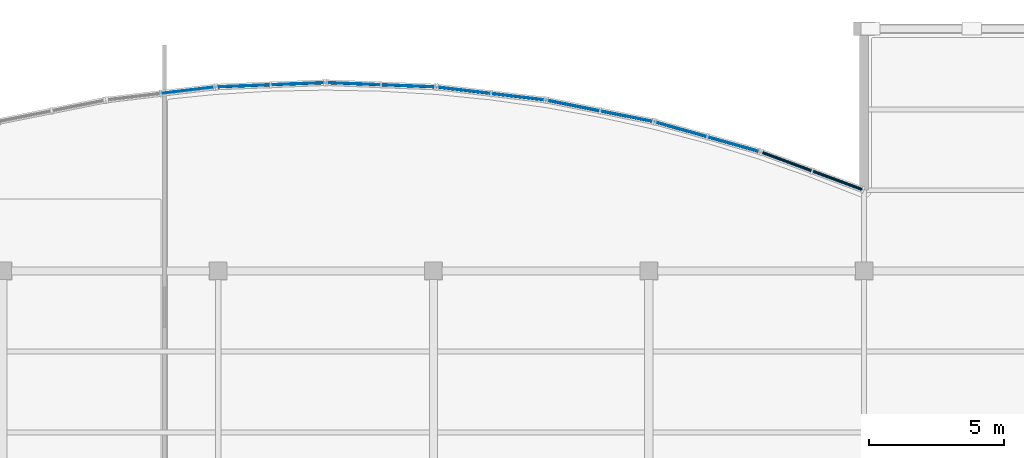
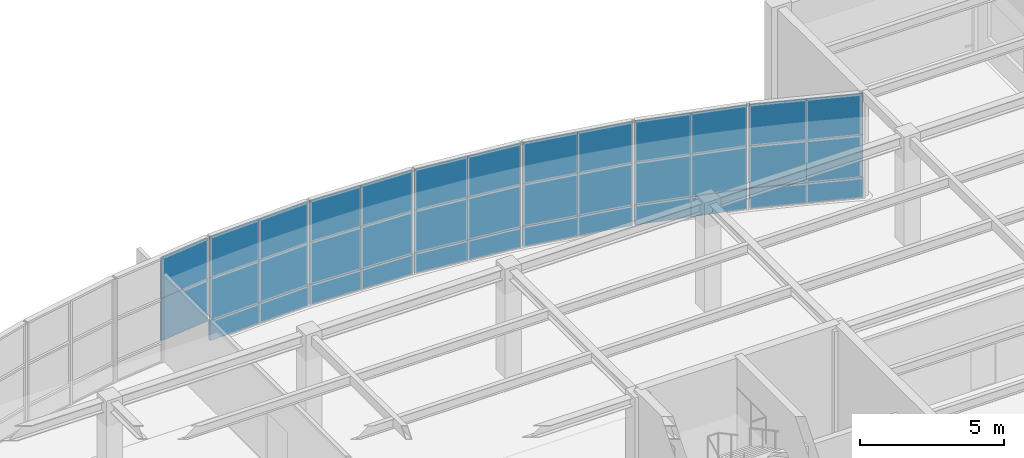
# One storey, part 41 of 63: 38 plates, 7 elements without a shape of their own.
"""IFC4 building model written with IfcOpenShell, lengths in metres."""

from ifc_helpers import new_model, si_unit, direction, frame, origin, origin_2d, place, context, subcontext, project, spatial, rectangle, extrude, material, layer, layer_set, type_object, element, aggregate, save


model = new_model("IFC4")

# Units and contexts
model_context = context("Model", 3, precision=1e-05, world=origin(), true_north=direction((0.0, 1.0)))
body_context = subcontext(model_context, "Body", "Model", "MODEL_VIEW")
ifc_project = project(units=[si_unit("LENGTHUNIT", "METRE"), si_unit("AREAUNIT", "SQUARE_METRE"), si_unit("VOLUMEUNIT", "CUBIC_METRE"), si_unit("PLANEANGLEUNIT", "RADIAN"), si_unit("MASSUNIT", "GRAM", prefix="KILO")], contexts=[model_context])

# Site, building, storey
site_placement = place(None, origin())
site = spatial("IfcSite", under=ifc_project, at=site_placement, CompositionType="ELEMENT")
building_placement = place(site_placement, origin())
building = spatial("IfcBuilding", under=site, at=building_placement, Name="Keelwater Ferry Terminal", CompositionType="ELEMENT")
storey_placement = place(building_placement, frame((0.0, 0.0, 10.199951171875)))
storey = spatial("IfcBuildingStorey", under=building, at=storey_placement, Name="L02", CompositionType="ELEMENT", Elevation=10.199951171875)

# Curtain wall, plates
ifc_material_1 = material(Name="Thermally broken unitised aluminium and triple glass", Category="aluminium")
ifc_layer_1 = layer(ifc_material_1, 0.179931640625)
ifc_layer_set_1 = layer_set([ifc_layer_1], Name="Thermally broken unitised aluminium and triple glass")
curtain_wall_type = type_object("IfcCurtainWallType", Name="CW-21 Unitised Curtain Wall 4015x4400", PredefinedType="USERDEFINED", material=ifc_layer_set_1)
curtain_wall_1_placement = place(storey_placement, origin())
curtain_wall_1 = element("IfcCurtainWall", 1, at=curtain_wall_1_placement, inside=storey, type_object=curtain_wall_type, Name="Unitised Curtain Wall CW-L02-193", ObjectType="UNITISED CURTAIN WALL", PredefinedType="USERDEFINED")
ifc_material_2 = material(Name="Insulated terracotta shadow-box spandrel", Category="masonry")
ifc_layer_2 = layer(ifc_material_2, 0.110107421875)
ifc_layer_set_2 = layer_set([ifc_layer_2], Name="Insulated terracotta shadow-box spandrel")
plate_type_1 = type_object("IfcPlateType", Name="CWP-S3 Insulated Spandrel Panel 110", PredefinedType="CURTAIN_PANEL", material=ifc_layer_set_2)
plate_1_placement = place(storey_placement, frame((171.01708984375, 120.364990234375, 0.0), z_axis=(0.0, 0.0, 1.0), x_axis=(-0.937592418253, 0.347736189136, 0.0)))
plate_1 = element("IfcPlate", 2, at=plate_1_placement, type_object=plate_type_1, Name="CW-L02-193 Panel 1.1", PredefinedType="CURTAIN_PANEL", context=body_context, shape_type="SweptSolid", body=[
    extrude(rectangle(XDim=2.00732421875, YDim=0.110107421875, at=origin_2d()), origin(), (0.0, 0.0, 1.0), 0.85009765625),
])
plate_2_placement = place(storey_placement, frame((169.135009765625, 121.06298828125, 0.0), z_axis=(0.0, 0.0, 1.0), x_axis=(-0.937592418253, 0.347736189136, 0.0)))
plate_2 = element("IfcPlate", 3, at=plate_2_placement, type_object=plate_type_1, Name="CW-L02-193 Panel 2.1", PredefinedType="CURTAIN_PANEL", context=body_context, shape_type="SweptSolid", body=[
    extrude(rectangle(XDim=2.00732421875, YDim=0.110107421875, at=origin_2d()), origin(), (0.0, 0.0, 1.0), 0.85009765625),
])

curtain_wall_2_placement = place(storey_placement, origin())
curtain_wall_2 = element("IfcCurtainWall", 4, at=curtain_wall_2_placement, inside=storey, type_object=curtain_wall_type, Name="Unitised Curtain Wall CW-L02-194", ObjectType="UNITISED CURTAIN WALL", PredefinedType="USERDEFINED")
plate_3_placement = place(storey_placement, frame((167.143310546875, 121.714111328125, 0.0), z_axis=(0.0, 0.0, 1.0), x_axis=(-0.962029778706, 0.272944508797, 0.0)))
plate_3 = element("IfcPlate", 5, at=plate_3_placement, type_object=plate_type_1, Name="CW-L02-194 Panel 1.1", PredefinedType="CURTAIN_PANEL", context=body_context, shape_type="SweptSolid", body=[
    extrude(rectangle(XDim=2.0078125, YDim=0.110107421875, at=origin_2d()), origin(), (0.0, 0.0, 1.0), 0.85009765625),
])
plate_4_placement = place(storey_placement, frame((165.211669921875, 122.261962890625, 0.0), z_axis=(0.0, 0.0, 1.0), x_axis=(-0.962029778706, 0.272944508797, 0.0)))
plate_4 = element("IfcPlate", 6, at=plate_4_placement, type_object=plate_type_1, Name="CW-L02-194 Panel 2.1", PredefinedType="CURTAIN_PANEL", context=body_context, shape_type="SweptSolid", body=[
    extrude(rectangle(XDim=2.0078125, YDim=0.110107421875, at=origin_2d()), origin(), (0.0, 0.0, 1.0), 0.85009765625),
])

curtain_wall_3_placement = place(storey_placement, origin())
curtain_wall_3 = element("IfcCurtainWall", 7, at=curtain_wall_3_placement, inside=storey, type_object=curtain_wall_type, Name="Unitised Curtain Wall CW-L02-195", ObjectType="UNITISED CURTAIN WALL", PredefinedType="USERDEFINED")
plate_5_placement = place(storey_placement, frame((163.1748046875, 122.753662109375, 0.0), z_axis=(0.0, 0.0, 1.0), x_axis=(-0.98059983046, 0.196020336958, 0.0)))
plate_5 = element("IfcPlate", 8, at=plate_5_placement, type_object=plate_type_1, Name="CW-L02-195 Panel 1.1", PredefinedType="CURTAIN_PANEL", context=body_context, shape_type="SweptSolid", body=[
    extrude(rectangle(XDim=2.00732421875, YDim=0.110107421875, at=origin_2d()), origin(), (0.0, 0.0, 1.0), 0.85009765625),
])
plate_6_placement = place(storey_placement, frame((161.206298828125, 123.147216796875, 0.0), z_axis=(0.0, 0.0, 1.0), x_axis=(-0.98059983046, 0.196020336958, 0.0)))
plate_6 = element("IfcPlate", 9, at=plate_6_placement, type_object=plate_type_1, Name="CW-L02-195 Panel 2.1", PredefinedType="CURTAIN_PANEL", context=body_context, shape_type="SweptSolid", body=[
    extrude(rectangle(XDim=2.00732421875, YDim=0.110107421875, at=origin_2d()), origin(), (0.0, 0.0, 1.0), 0.85009765625),
])

curtain_wall_4_placement = place(storey_placement, origin())
curtain_wall_4 = element("IfcCurtainWall", 10, at=curtain_wall_4_placement, inside=storey, type_object=curtain_wall_type, Name="Unitised Curtain Wall CW-L02-196", ObjectType="UNITISED CURTAIN WALL", PredefinedType="USERDEFINED")
plate_7_placement = place(storey_placement, frame((159.136474609375, 123.476806640625, 0.0), z_axis=(0.0, 0.0, 1.0), x_axis=(-0.992974342459, 0.118329857676, 0.0)))
plate_7 = element("IfcPlate", 11, at=plate_7_placement, type_object=plate_type_1, Name="CW-L02-196 Panel 1.1", PredefinedType="CURTAIN_PANEL", context=body_context, shape_type="SweptSolid", body=[
    extrude(rectangle(XDim=2.007080078125, YDim=0.110107421875, at=origin_2d()), origin(), (0.0, 0.0, 1.0), 0.85009765625),
])
plate_8_placement = place(storey_placement, frame((157.1435546875, 123.71435546875, 0.0), z_axis=(0.0, 0.0, 1.0), x_axis=(-0.992974342459, 0.118329857676, 0.0)))
plate_8 = element("IfcPlate", 12, at=plate_8_placement, type_object=plate_type_1, Name="CW-L02-196 Panel 2.1", PredefinedType="CURTAIN_PANEL", context=body_context, shape_type="SweptSolid", body=[
    extrude(rectangle(XDim=2.007080078125, YDim=0.110107421875, at=origin_2d()), origin(), (0.0, 0.0, 1.0), 0.85009765625),
])

curtain_wall_5_placement = place(storey_placement, origin())
curtain_wall_5 = element("IfcCurtainWall", 13, at=curtain_wall_5_placement, inside=storey, type_object=curtain_wall_type, Name="Unitised Curtain Wall CW-L02-197", ObjectType="UNITISED CURTAIN WALL", PredefinedType="USERDEFINED")
plate_9_placement = place(storey_placement, frame((155.053955078125, 123.87939453125, 0.0), z_axis=(0.0, 0.0, 1.0), x_axis=(-0.999225435626, 0.039351350652, 0.0)))
plate_9 = element("IfcPlate", 14, at=plate_9_placement, type_object=plate_type_1, Name="CW-L02-197 Panel 1.1", PredefinedType="CURTAIN_PANEL", context=body_context, shape_type="SweptSolid", body=[
    extrude(rectangle(XDim=2.007568359375, YDim=0.110107421875, at=origin_2d()), origin(), (0.0, 0.0, 1.0), 0.85009765625),
])
plate_10_placement = place(storey_placement, frame((153.048095703125, 123.95849609375, 0.0), z_axis=(0.0, 0.0, 1.0), x_axis=(-0.999225435626, 0.039351350652, 0.0)))
plate_10 = element("IfcPlate", 15, at=plate_10_placement, type_object=plate_type_1, Name="CW-L02-197 Panel 2.1", PredefinedType="CURTAIN_PANEL", context=body_context, shape_type="SweptSolid", body=[
    extrude(rectangle(XDim=2.007568359375, YDim=0.110107421875, at=origin_2d()), origin(), (0.0, 0.0, 1.0), 0.85009765625),
])

curtain_wall_6_placement = place(storey_placement, origin())
curtain_wall_6 = element("IfcCurtainWall", 16, at=curtain_wall_6_placement, inside=storey, type_object=curtain_wall_type, Name="Unitised Curtain Wall CW-L02-198", ObjectType="UNITISED CURTAIN WALL", PredefinedType="USERDEFINED")
plate_11_placement = place(storey_placement, frame((150.951904296875, 123.95849609375, 0.0), z_axis=(0.0, 0.0, 1.0), x_axis=(-0.999225435626, -0.039351350652, 0.0)))
plate_11 = element("IfcPlate", 17, at=plate_11_placement, type_object=plate_type_1, Name="CW-L02-198 Panel 1.1", PredefinedType="CURTAIN_PANEL", context=body_context, shape_type="SweptSolid", body=[
    extrude(rectangle(XDim=2.007568359375, YDim=0.110107421875, at=origin_2d()), origin(), (0.0, 0.0, 1.0), 0.85009765625),
])
plate_12_placement = place(storey_placement, frame((148.946044921875, 123.87939453125, 0.0), z_axis=(0.0, 0.0, 1.0), x_axis=(-0.999225435626, -0.039351350652, 0.0)))
plate_12 = element("IfcPlate", 18, at=plate_12_placement, type_object=plate_type_1, Name="CW-L02-198 Panel 2.1", PredefinedType="CURTAIN_PANEL", context=body_context, shape_type="SweptSolid", body=[
    extrude(rectangle(XDim=2.007568359375, YDim=0.110107421875, at=origin_2d()), origin(), (0.0, 0.0, 1.0), 0.85009765625),
])

# Plate
ifc_material_3 = material(Name="Triple low-E laminated glass", Category="glass")
ifc_layer_3 = layer(ifc_material_3, 0.035888671875)
ifc_layer_set_3 = layer_set([ifc_layer_3], Name="Triple low-E laminated glass")
plate_type_2 = type_object("IfcPlateType", Name="CWP-V1 Glazed Vision Panel 36", PredefinedType="CURTAIN_PANEL", material=ifc_layer_set_3)
plate_13_placement = place(storey_placement, frame((171.01708984375, 120.364990234375, 0.85009765625), z_axis=(0.0, 0.0, 1.0), x_axis=(-0.937592418253, 0.347736189136, 0.0)))
plate_13 = element("IfcPlate", 19, at=plate_13_placement, type_object=plate_type_2, Name="CW-L02-193 Panel 1.2", PredefinedType="CURTAIN_PANEL", context=body_context, shape_type="SweptSolid", body=[
    extrude(rectangle(XDim=2.00732421875, YDim=0.035888671875, at=origin_2d()), origin(), (0.0, 0.0, 1.0), 1.800048828125),
])

plate_14_placement = place(storey_placement, frame((171.01708984375, 120.364990234375, 2.650146484375), z_axis=(0.0, 0.0, 1.0), x_axis=(-0.937592418253, 0.347736189136, 0.0)))
plate_14 = element("IfcPlate", 20, at=plate_14_placement, type_object=plate_type_2, Name="CW-L02-193 Panel 1.3", PredefinedType="CURTAIN_PANEL", context=body_context, shape_type="SweptSolid", body=[
    extrude(rectangle(XDim=2.00732421875, YDim=0.035888671875, at=origin_2d()), origin(), (0.0, 0.0, 1.0), 1.75),
])

plate_15_placement = place(storey_placement, frame((169.135009765625, 121.06298828125, 0.85009765625), z_axis=(0.0, 0.0, 1.0), x_axis=(-0.937592418253, 0.347736189136, 0.0)))
plate_15 = element("IfcPlate", 21, at=plate_15_placement, type_object=plate_type_2, Name="CW-L02-193 Panel 2.2", PredefinedType="CURTAIN_PANEL", context=body_context, shape_type="SweptSolid", body=[
    extrude(rectangle(XDim=2.00732421875, YDim=0.035888671875, at=origin_2d()), origin(), (0.0, 0.0, 1.0), 1.800048828125),
])

plate_16_placement = place(storey_placement, frame((169.135009765625, 121.06298828125, 2.650146484375), z_axis=(0.0, 0.0, 1.0), x_axis=(-0.937592418253, 0.347736189136, 0.0)))
plate_16 = element("IfcPlate", 22, at=plate_16_placement, type_object=plate_type_2, Name="CW-L02-193 Panel 2.3", PredefinedType="CURTAIN_PANEL", context=body_context, shape_type="SweptSolid", body=[
    extrude(rectangle(XDim=2.00732421875, YDim=0.035888671875, at=origin_2d()), origin(), (0.0, 0.0, 1.0), 1.75),
])

aggregate(curtain_wall_1, [plate_1, plate_13, plate_14, plate_2, plate_15, plate_16])

plate_17_placement = place(storey_placement, frame((167.143310546875, 121.714111328125, 0.85009765625), z_axis=(0.0, 0.0, 1.0), x_axis=(-0.962029778706, 0.272944508797, 0.0)))
plate_17 = element("IfcPlate", 23, at=plate_17_placement, type_object=plate_type_2, Name="CW-L02-194 Panel 1.2", PredefinedType="CURTAIN_PANEL", context=body_context, shape_type="SweptSolid", body=[
    extrude(rectangle(XDim=2.0078125, YDim=0.035888671875, at=origin_2d()), origin(), (0.0, 0.0, 1.0), 1.800048828125),
])

plate_18_placement = place(storey_placement, frame((167.143310546875, 121.714111328125, 2.650146484375), z_axis=(0.0, 0.0, 1.0), x_axis=(-0.962029778706, 0.272944508797, 0.0)))
plate_18 = element("IfcPlate", 24, at=plate_18_placement, type_object=plate_type_2, Name="CW-L02-194 Panel 1.3", PredefinedType="CURTAIN_PANEL", context=body_context, shape_type="SweptSolid", body=[
    extrude(rectangle(XDim=2.0078125, YDim=0.035888671875, at=origin_2d()), origin(), (0.0, 0.0, 1.0), 1.75),
])

plate_19_placement = place(storey_placement, frame((165.211669921875, 122.261962890625, 0.85009765625), z_axis=(0.0, 0.0, 1.0), x_axis=(-0.962029778706, 0.272944508797, 0.0)))
plate_19 = element("IfcPlate", 25, at=plate_19_placement, type_object=plate_type_2, Name="CW-L02-194 Panel 2.2", PredefinedType="CURTAIN_PANEL", context=body_context, shape_type="SweptSolid", body=[
    extrude(rectangle(XDim=2.0078125, YDim=0.035888671875, at=origin_2d()), origin(), (0.0, 0.0, 1.0), 1.800048828125),
])

plate_20_placement = place(storey_placement, frame((165.211669921875, 122.261962890625, 2.650146484375), z_axis=(0.0, 0.0, 1.0), x_axis=(-0.962029778706, 0.272944508797, 0.0)))
plate_20 = element("IfcPlate", 26, at=plate_20_placement, type_object=plate_type_2, Name="CW-L02-194 Panel 2.3", PredefinedType="CURTAIN_PANEL", context=body_context, shape_type="SweptSolid", body=[
    extrude(rectangle(XDim=2.0078125, YDim=0.035888671875, at=origin_2d()), origin(), (0.0, 0.0, 1.0), 1.75),
])

aggregate(curtain_wall_2, [plate_3, plate_17, plate_18, plate_4, plate_19, plate_20])

plate_21_placement = place(storey_placement, frame((163.1748046875, 122.753662109375, 0.85009765625), z_axis=(0.0, 0.0, 1.0), x_axis=(-0.98059983046, 0.196020336958, 0.0)))
plate_21 = element("IfcPlate", 27, at=plate_21_placement, type_object=plate_type_2, Name="CW-L02-195 Panel 1.2", PredefinedType="CURTAIN_PANEL", context=body_context, shape_type="SweptSolid", body=[
    extrude(rectangle(XDim=2.00732421875, YDim=0.035888671875, at=origin_2d()), origin(), (0.0, 0.0, 1.0), 1.800048828125),
])

plate_22_placement = place(storey_placement, frame((163.1748046875, 122.753662109375, 2.650146484375), z_axis=(0.0, 0.0, 1.0), x_axis=(-0.98059983046, 0.196020336958, 0.0)))
plate_22 = element("IfcPlate", 28, at=plate_22_placement, type_object=plate_type_2, Name="CW-L02-195 Panel 1.3", PredefinedType="CURTAIN_PANEL", context=body_context, shape_type="SweptSolid", body=[
    extrude(rectangle(XDim=2.00732421875, YDim=0.035888671875, at=origin_2d()), origin(), (0.0, 0.0, 1.0), 1.75),
])

plate_23_placement = place(storey_placement, frame((161.206298828125, 123.147216796875, 0.85009765625), z_axis=(0.0, 0.0, 1.0), x_axis=(-0.98059983046, 0.196020336958, 0.0)))
plate_23 = element("IfcPlate", 29, at=plate_23_placement, type_object=plate_type_2, Name="CW-L02-195 Panel 2.2", PredefinedType="CURTAIN_PANEL", context=body_context, shape_type="SweptSolid", body=[
    extrude(rectangle(XDim=2.00732421875, YDim=0.035888671875, at=origin_2d()), origin(), (0.0, 0.0, 1.0), 1.800048828125),
])

plate_24_placement = place(storey_placement, frame((161.206298828125, 123.147216796875, 2.650146484375), z_axis=(0.0, 0.0, 1.0), x_axis=(-0.98059983046, 0.196020336958, 0.0)))
plate_24 = element("IfcPlate", 30, at=plate_24_placement, type_object=plate_type_2, Name="CW-L02-195 Panel 2.3", PredefinedType="CURTAIN_PANEL", context=body_context, shape_type="SweptSolid", body=[
    extrude(rectangle(XDim=2.00732421875, YDim=0.035888671875, at=origin_2d()), origin(), (0.0, 0.0, 1.0), 1.75),
])

aggregate(curtain_wall_3, [plate_5, plate_21, plate_22, plate_6, plate_23, plate_24])

plate_25_placement = place(storey_placement, frame((159.136474609375, 123.476806640625, 0.85009765625), z_axis=(0.0, 0.0, 1.0), x_axis=(-0.992974342459, 0.118329857676, 0.0)))
plate_25 = element("IfcPlate", 31, at=plate_25_placement, type_object=plate_type_2, Name="CW-L02-196 Panel 1.2", PredefinedType="CURTAIN_PANEL", context=body_context, shape_type="SweptSolid", body=[
    extrude(rectangle(XDim=2.007080078125, YDim=0.035888671875, at=origin_2d()), origin(), (0.0, 0.0, 1.0), 1.800048828125),
])

plate_26_placement = place(storey_placement, frame((159.136474609375, 123.476806640625, 2.650146484375), z_axis=(0.0, 0.0, 1.0), x_axis=(-0.992974342459, 0.118329857676, 0.0)))
plate_26 = element("IfcPlate", 32, at=plate_26_placement, type_object=plate_type_2, Name="CW-L02-196 Panel 1.3", PredefinedType="CURTAIN_PANEL", context=body_context, shape_type="SweptSolid", body=[
    extrude(rectangle(XDim=2.007080078125, YDim=0.035888671875, at=origin_2d()), origin(), (0.0, 0.0, 1.0), 1.75),
])

plate_27_placement = place(storey_placement, frame((157.1435546875, 123.71435546875, 0.85009765625), z_axis=(0.0, 0.0, 1.0), x_axis=(-0.992974342459, 0.118329857676, 0.0)))
plate_27 = element("IfcPlate", 33, at=plate_27_placement, type_object=plate_type_2, Name="CW-L02-196 Panel 2.2", PredefinedType="CURTAIN_PANEL", context=body_context, shape_type="SweptSolid", body=[
    extrude(rectangle(XDim=2.007080078125, YDim=0.035888671875, at=origin_2d()), origin(), (0.0, 0.0, 1.0), 1.800048828125),
])

plate_28_placement = place(storey_placement, frame((157.1435546875, 123.71435546875, 2.650146484375), z_axis=(0.0, 0.0, 1.0), x_axis=(-0.992974342459, 0.118329857676, 0.0)))
plate_28 = element("IfcPlate", 34, at=plate_28_placement, type_object=plate_type_2, Name="CW-L02-196 Panel 2.3", PredefinedType="CURTAIN_PANEL", context=body_context, shape_type="SweptSolid", body=[
    extrude(rectangle(XDim=2.007080078125, YDim=0.035888671875, at=origin_2d()), origin(), (0.0, 0.0, 1.0), 1.75),
])

aggregate(curtain_wall_4, [plate_7, plate_25, plate_26, plate_8, plate_27, plate_28])

plate_29_placement = place(storey_placement, frame((155.053955078125, 123.87939453125, 0.85009765625), z_axis=(0.0, 0.0, 1.0), x_axis=(-0.999225435626, 0.039351350652, 0.0)))
plate_29 = element("IfcPlate", 35, at=plate_29_placement, type_object=plate_type_2, Name="CW-L02-197 Panel 1.2", PredefinedType="CURTAIN_PANEL", context=body_context, shape_type="SweptSolid", body=[
    extrude(rectangle(XDim=2.007568359375, YDim=0.035888671875, at=origin_2d()), origin(), (0.0, 0.0, 1.0), 1.800048828125),
])

plate_30_placement = place(storey_placement, frame((155.053955078125, 123.87939453125, 2.650146484375), z_axis=(0.0, 0.0, 1.0), x_axis=(-0.999225435626, 0.039351350652, 0.0)))
plate_30 = element("IfcPlate", 36, at=plate_30_placement, type_object=plate_type_2, Name="CW-L02-197 Panel 1.3", PredefinedType="CURTAIN_PANEL", context=body_context, shape_type="SweptSolid", body=[
    extrude(rectangle(XDim=2.007568359375, YDim=0.035888671875, at=origin_2d()), origin(), (0.0, 0.0, 1.0), 1.75),
])

plate_31_placement = place(storey_placement, frame((153.048095703125, 123.95849609375, 0.85009765625), z_axis=(0.0, 0.0, 1.0), x_axis=(-0.999225435626, 0.039351350652, 0.0)))
plate_31 = element("IfcPlate", 37, at=plate_31_placement, type_object=plate_type_2, Name="CW-L02-197 Panel 2.2", PredefinedType="CURTAIN_PANEL", context=body_context, shape_type="SweptSolid", body=[
    extrude(rectangle(XDim=2.007568359375, YDim=0.035888671875, at=origin_2d()), origin(), (0.0, 0.0, 1.0), 1.800048828125),
])

plate_32_placement = place(storey_placement, frame((153.048095703125, 123.95849609375, 2.650146484375), z_axis=(0.0, 0.0, 1.0), x_axis=(-0.999225435626, 0.039351350652, 0.0)))
plate_32 = element("IfcPlate", 38, at=plate_32_placement, type_object=plate_type_2, Name="CW-L02-197 Panel 2.3", PredefinedType="CURTAIN_PANEL", context=body_context, shape_type="SweptSolid", body=[
    extrude(rectangle(XDim=2.007568359375, YDim=0.035888671875, at=origin_2d()), origin(), (0.0, 0.0, 1.0), 1.75),
])

aggregate(curtain_wall_5, [plate_9, plate_29, plate_30, plate_10, plate_31, plate_32])

plate_33_placement = place(storey_placement, frame((150.951904296875, 123.95849609375, 0.85009765625), z_axis=(0.0, 0.0, 1.0), x_axis=(-0.999225435626, -0.039351350652, 0.0)))
plate_33 = element("IfcPlate", 39, at=plate_33_placement, type_object=plate_type_2, Name="CW-L02-198 Panel 1.2", PredefinedType="CURTAIN_PANEL", context=body_context, shape_type="SweptSolid", body=[
    extrude(rectangle(XDim=2.007568359375, YDim=0.035888671875, at=origin_2d()), origin(), (0.0, 0.0, 1.0), 1.800048828125),
])

plate_34_placement = place(storey_placement, frame((150.951904296875, 123.95849609375, 2.650146484375), z_axis=(0.0, 0.0, 1.0), x_axis=(-0.999225435626, -0.039351350652, 0.0)))
plate_34 = element("IfcPlate", 40, at=plate_34_placement, type_object=plate_type_2, Name="CW-L02-198 Panel 1.3", PredefinedType="CURTAIN_PANEL", context=body_context, shape_type="SweptSolid", body=[
    extrude(rectangle(XDim=2.007568359375, YDim=0.035888671875, at=origin_2d()), origin(), (0.0, 0.0, 1.0), 1.75),
])

plate_35_placement = place(storey_placement, frame((148.946044921875, 123.87939453125, 0.85009765625), z_axis=(0.0, 0.0, 1.0), x_axis=(-0.999225435626, -0.039351350652, 0.0)))
plate_35 = element("IfcPlate", 41, at=plate_35_placement, type_object=plate_type_2, Name="CW-L02-198 Panel 2.2", PredefinedType="CURTAIN_PANEL", context=body_context, shape_type="SweptSolid", body=[
    extrude(rectangle(XDim=2.007568359375, YDim=0.035888671875, at=origin_2d()), origin(), (0.0, 0.0, 1.0), 1.800048828125),
])

plate_36_placement = place(storey_placement, frame((148.946044921875, 123.87939453125, 2.650146484375), z_axis=(0.0, 0.0, 1.0), x_axis=(-0.999225435626, -0.039351350652, 0.0)))
plate_36 = element("IfcPlate", 42, at=plate_36_placement, type_object=plate_type_2, Name="CW-L02-198 Panel 2.3", PredefinedType="CURTAIN_PANEL", context=body_context, shape_type="SweptSolid", body=[
    extrude(rectangle(XDim=2.007568359375, YDim=0.035888671875, at=origin_2d()), origin(), (0.0, 0.0, 1.0), 1.75),
])

aggregate(curtain_wall_6, [plate_11, plate_33, plate_34, plate_12, plate_35, plate_36])

# Curtain wall, plates
curtain_wall_7_placement = place(storey_placement, origin())
curtain_wall_7 = element("IfcCurtainWall", 43, at=curtain_wall_7_placement, inside=storey, type_object=curtain_wall_type, Name="Unitised Curtain Wall CW-L02-199", ObjectType="UNITISED CURTAIN WALL", PredefinedType="USERDEFINED")
plate_37_placement = place(storey_placement, frame((146.8564453125, 123.71435546875, 0.85009765625), z_axis=(0.0, 0.0, 1.0), x_axis=(-0.992974342459, -0.118329857676, 0.0)))
plate_37 = element("IfcPlate", 44, at=plate_37_placement, type_object=plate_type_2, Name="CW-L02-199 Panel 1.2", PredefinedType="CURTAIN_PANEL", context=body_context, shape_type="SweptSolid", body=[
    extrude(rectangle(XDim=2.007080078125, YDim=0.035888671875, at=origin_2d()), origin(), (0.0, 0.0, 1.0), 1.800048828125),
])
plate_38_placement = place(storey_placement, frame((146.8564453125, 123.71435546875, 2.650146484375), z_axis=(0.0, 0.0, 1.0), x_axis=(-0.992974342459, -0.118329857676, 0.0)))
plate_38 = element("IfcPlate", 45, at=plate_38_placement, type_object=plate_type_2, Name="CW-L02-199 Panel 1.3", PredefinedType="CURTAIN_PANEL", context=body_context, shape_type="SweptSolid", body=[
    extrude(rectangle(XDim=2.007080078125, YDim=0.035888671875, at=origin_2d()), origin(), (0.0, 0.0, 1.0), 1.75),
])
aggregate(curtain_wall_7, [plate_37, plate_38])

save(model, "model.ifc")
